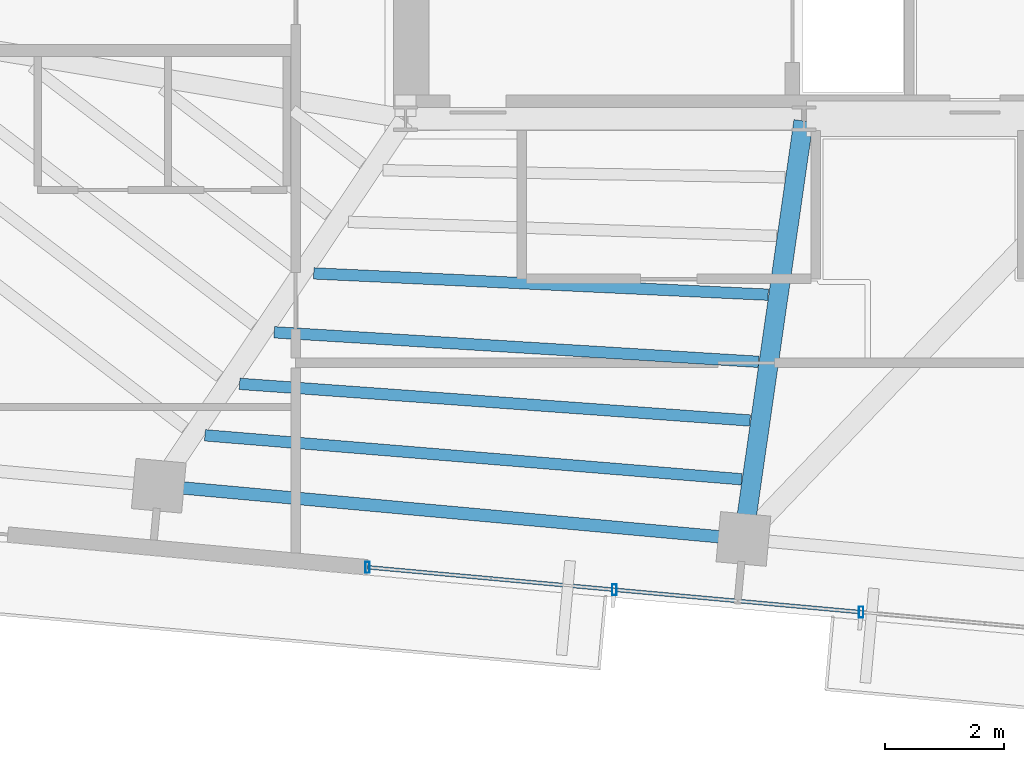
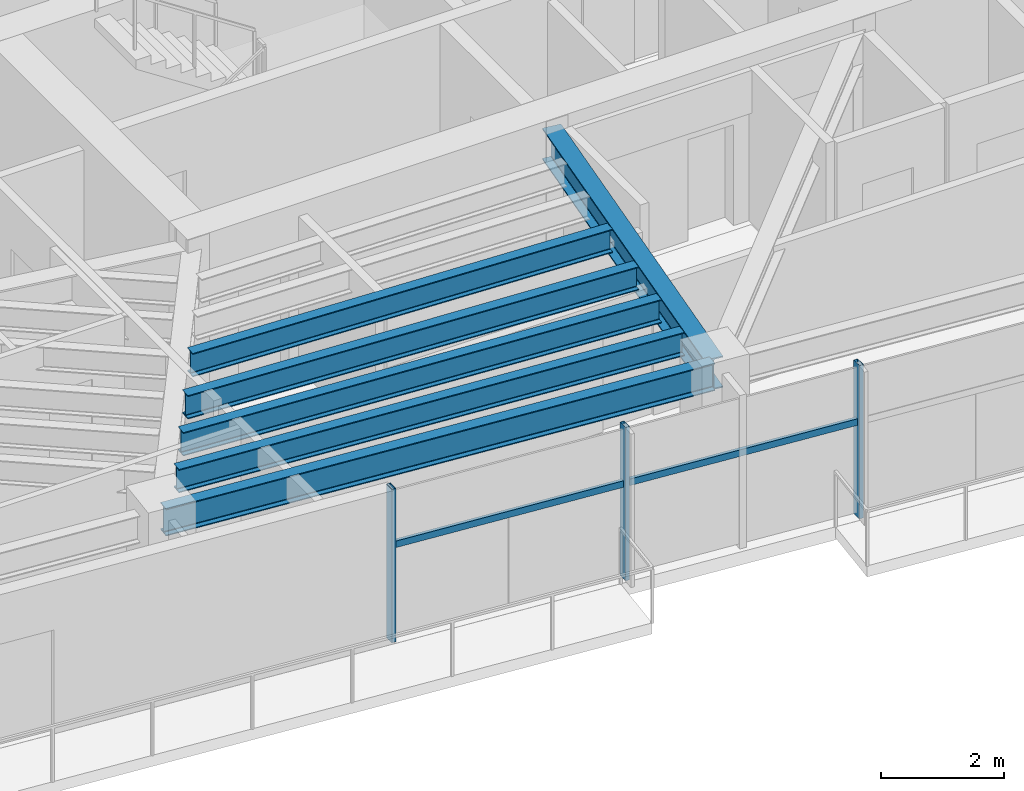
# One storey, part 6 of 22: 6 beams, 5 members, 1 element without a shape of its own.
"""IFC4 building model written with IfcOpenShell, lengths in metres."""

from ifc_helpers import new_model, si_unit, direction, frame, origin, origin_2d, place, context, subcontext, project, spatial, hollow_rectangle, i_section, extrude, source, transform, mapped, material, material_profile, profile_set, type_object, type_shapes, element, aggregate, save


model = new_model("IFC4")

# Units and contexts
model_context = context("Model", 3, precision=1e-05, world=origin(), true_north=direction((0.0, 1.0)))
body_context = subcontext(model_context, "Body", "Model", "MODEL_VIEW")
ifc_project = project(units=[si_unit("LENGTHUNIT", "METRE"), si_unit("AREAUNIT", "SQUARE_METRE"), si_unit("VOLUMEUNIT", "CUBIC_METRE"), si_unit("PLANEANGLEUNIT", "RADIAN"), si_unit("MASSUNIT", "GRAM", prefix="KILO")], contexts=[model_context])

# Site, building, storey
site_placement = place(None, origin())
site = spatial("IfcSite", under=ifc_project, at=site_placement, CompositionType="ELEMENT")
building_placement = place(site_placement, origin())
building = spatial("IfcBuilding", under=site, at=building_placement, Name="Astriad Promenade Condominiums", CompositionType="ELEMENT")
storey_placement = place(building_placement, frame((0.0, 0.0, 246.300048828125)))
storey = spatial("IfcBuildingStorey", under=building, at=storey_placement, Name="L71", CompositionType="ELEMENT", Elevation=246.300048828125)

# Beams
ifc_material_1 = material(Name="Steel ASTM A992 Grade 50", Category="steel")
ifc_material_profile_1 = material_profile(ifc_material_1, i_section(OverallWidth=0.210693359375, OverallDepth=0.53955078125, WebThickness=0.01171875, FlangeThickness=0.018798828125, FilletRadius=0.0166015625, at=origin_2d()), Name="W21X73")
ifc_profile_set_1 = profile_set([ifc_material_profile_1], Name="Steel ASTM A992 Grade 50")
beam_type_1 = type_object("IfcBeamType", Name="STEEL SPANDREL BEAM W21X73", PredefinedType="SPANDREL", material=ifc_profile_set_1)
shared_shape_1 = source(origin(), body_context, "Body", "SweptSolid", [
    extrude(i_section(OverallWidth=0.210693359375, OverallDepth=0.53955078125, WebThickness=0.01171875, FlangeThickness=0.018798828125, FilletRadius=0.0166015625, at=origin_2d()), origin(), (0.0, 0.0, 1.0), 9.81982421875),
])
type_shapes(beam_type_1, [shared_shape_1])
beam_1_placement = place(storey_placement, frame((22.281005859375, 11.205322265625, 2.770263671875), z_axis=(0.995885459014, -0.090620927631, 0.0), x_axis=(0.090620927631, 0.995885459014, 0.0)))
element("IfcBeam", 1, at=beam_1_placement, inside=storey, type_object=beam_type_1, Name="Perimeter Spandrel Beam SP-S2-L71", PredefinedType="SPANDREL", context=body_context, shape_type="MappedRepresentation", body=[
    mapped(shared_shape_1, transform((0.0, 0.0, 0.0), scale=1.0)),
])
ifc_material_profile_2 = material_profile(ifc_material_1, i_section(OverallWidth=0.326416015625, OverallDepth=0.621826171875, WebThickness=0.015380859375, FlangeThickness=0.0244140625, FilletRadius=0.017822265625, at=origin_2d()), Name="W24X131")
ifc_profile_set_2 = profile_set([ifc_material_profile_2], Name="Steel ASTM A992 Grade 50")
beam_type_2 = type_object("IfcBeamType", Name="STEEL FLOOR GIRDER W24X131", PredefinedType="BEAM", material=ifc_profile_set_2)
shared_shape_2 = source(origin(), body_context, "Body", "SweptSolid", [
    extrude(i_section(OverallWidth=0.326416015625, OverallDepth=0.621826171875, WebThickness=0.015380859375, FlangeThickness=0.0244140625, FilletRadius=0.017822265625, at=origin_2d()), origin(), (0.0, 0.0, 1.0), 7.081298828125),
])
type_shapes(beam_type_2, [shared_shape_2])
beam_2_placement = place(storey_placement, frame((32.10595703125, 10.351318359375, 2.72900390625), z_axis=(0.142391481124, 0.989810419274, 0.0), x_axis=(-0.989810419274, 0.142391481124, 0.0)))
element("IfcBeam", 2, at=beam_2_placement, inside=storey, type_object=beam_type_2, Name="Primary Floor Girder PG-C1-L71", PredefinedType="BEAM", context=body_context, shape_type="MappedRepresentation", body=[
    mapped(shared_shape_2, transform((0.0, 0.0, 0.0), scale=1.0)),
])
ifc_material_profile_3 = material_profile(ifc_material_1, i_section(OverallWidth=0.19287109375, OverallDepth=0.466064453125, WebThickness=0.011474609375, FlangeThickness=0.01904296875, FilletRadius=0.01513671875, at=origin_2d()), Name="W18X65")
ifc_profile_set_3 = profile_set([ifc_material_profile_3], Name="Steel ASTM A992 Grade 50")
beam_type_3 = type_object("IfcBeamType", Name="STEEL FLOOR JOIST W18X65", PredefinedType="JOIST", material=ifc_profile_set_3)
shared_shape_3 = source(origin(), body_context, "Body", "SweptSolid", [
    extrude(i_section(OverallWidth=0.19287109375, OverallDepth=0.466064453125, WebThickness=0.011474609375, FlangeThickness=0.01904296875, FilletRadius=0.01513671875, at=origin_2d()), origin(), (0.0, 0.0, 1.0), 9.08056640625),
])
beam_3_placement = place(storey_placement, frame((23.019775390625, 12.059814453125, 2.806884765625), z_axis=(0.996660857814, -0.081652522934, 0.0), x_axis=(0.081652522934, 0.996660857814, 0.0)))
element("IfcBeam", 3, at=beam_3_placement, inside=storey, type_object=beam_type_3, Name="Secondary Composite Floor Joist JCW-1-L71", PredefinedType="JOIST", context=body_context, shape_type="MappedRepresentation", body=[
    mapped(shared_shape_3, transform((0.0, 0.0, 0.0), scale=1.0)),
])
shared_shape_4 = source(origin(), body_context, "Body", "SweptSolid", [
    extrude(i_section(OverallWidth=0.19287109375, OverallDepth=0.466064453125, WebThickness=0.011474609375, FlangeThickness=0.01904296875, FilletRadius=0.01513671875, at=origin_2d()), origin(), (0.0, 0.0, 1.0), 8.631591796875),
])
beam_4_placement = place(storey_placement, frame((23.603271484375, 12.92822265625, 2.806884765625), z_axis=(0.997424124914, -0.071729457259, 0.0), x_axis=(0.071729457259, 0.997424124914, 0.0)))
element("IfcBeam", 4, at=beam_4_placement, inside=storey, type_object=beam_type_3, Name="Secondary Composite Floor Joist JCW-2-L71", PredefinedType="JOIST", context=body_context, shape_type="MappedRepresentation", body=[
    mapped(shared_shape_4, transform((0.0, 0.0, 0.0), scale=1.0)),
])
shared_shape_5 = source(origin(), body_context, "Body", "SweptSolid", [
    extrude(i_section(OverallWidth=0.19287109375, OverallDepth=0.466064453125, WebThickness=0.011474609375, FlangeThickness=0.01904296875, FilletRadius=0.01513671875, at=origin_2d()), origin(), (0.0, 0.0, 1.0), 8.183349609375),
])
beam_5_placement = place(storey_placement, frame((24.186767578125, 13.797119140625, 2.806884765625), z_axis=(0.998148077796, -0.06083103478, 0.0), x_axis=(0.06083103478, 0.998148077796, 0.0)))
element("IfcBeam", 5, at=beam_5_placement, inside=storey, type_object=beam_type_3, Name="Secondary Composite Floor Joist JCW-3-L71", PredefinedType="JOIST", context=body_context, shape_type="MappedRepresentation", body=[
    mapped(shared_shape_5, transform((0.0, 0.0, 0.0), scale=1.0)),
])
shared_shape_6 = source(origin(), body_context, "Body", "SweptSolid", [
    extrude(i_section(OverallWidth=0.19287109375, OverallDepth=0.466064453125, WebThickness=0.011474609375, FlangeThickness=0.01904296875, FilletRadius=0.01513671875, at=origin_2d()), origin(), (0.0, 0.0, 1.0), 7.672119140625),
])
type_shapes(beam_type_3, [shared_shape_3, shared_shape_4, shared_shape_5, shared_shape_6])
beam_6_placement = place(storey_placement, frame((24.85400390625, 14.790283203125, 2.806884765625), z_axis=(0.998903848677, -0.04680919886, 0.0), x_axis=(0.04680919886, 0.998903848677, 0.0)))
element("IfcBeam", 6, at=beam_6_placement, inside=storey, type_object=beam_type_3, Name="Secondary Composite Floor Joist JCW-4-L71", PredefinedType="JOIST", context=body_context, shape_type="MappedRepresentation", body=[
    mapped(shared_shape_6, transform((0.0, 0.0, 0.0), scale=1.0)),
])

# Curtain wall, members
ifc_material_2 = material(Name="Anodised aluminium Black Dark Glass Unitised", Category="aluminium")
curtain_wall_type = type_object("IfcCurtainWallType", Name="CW-B5-DARK", PredefinedType="USERDEFINED", material=ifc_material_2)
curtain_wall_placement = place(storey_placement, origin())
curtain_wall = element("IfcCurtainWall", 7, at=curtain_wall_placement, inside=storey, type_object=curtain_wall_type, Name="CW-L71-S", ObjectType="UNITISED_CURTAIN_WALL", PredefinedType="USERDEFINED")
ifc_material_3 = material(Name="Anodised aluminium 6063-T6 Black", Category="aluminium")
ifc_material_profile_4 = material_profile(ifc_material_3, hollow_rectangle(XDim=0.06494140625, YDim=0.1298828125, WallThickness=0.00390625, at=origin_2d()), Name="ALU-TRN-65X130")
ifc_profile_set_4 = profile_set([ifc_material_profile_4], Name="Anodised aluminium 6063-T6 Black")
member_type_1 = type_object("IfcMemberType", Name="TRN-ALU-TRN-65X130", PredefinedType="USERDEFINED", material=ifc_profile_set_4)
shared_shape_7 = source(origin(), body_context, "Body", "SweptSolid", [
    extrude(hollow_rectangle(XDim=0.06494140625, YDim=0.1298828125, WallThickness=0.00390625, at=origin_2d()), origin(), (0.0, 0.0, 1.0), 4.179931640625),
])
type_shapes(member_type_1, [shared_shape_7])
member_1_placement = place(storey_placement, frame((34.086669921875, 9.07666015625, 1.884765625), z_axis=(-0.995883146811, 0.090646334165, 0.0), x_axis=(-0.090646334165, -0.995883146811, 0.0)))
member_1 = element("IfcMember", 8, at=member_1_placement, type_object=member_type_1, Name="CW-L71-S-TRN-01-0", ObjectType="TRANSOM", PredefinedType="USERDEFINED", context=body_context, shape_type="MappedRepresentation", body=[
    mapped(shared_shape_7, transform((0.0, 0.0, 0.0), scale=1.0)),
])
member_2_placement = place(storey_placement, frame((29.923828125, 9.45556640625, 1.884765625), z_axis=(-0.995883146811, 0.090646334165, 0.0), x_axis=(-0.090646334165, -0.995883146811, 0.0)))
member_2 = element("IfcMember", 9, at=member_2_placement, type_object=member_type_1, Name="CW-L71-S-TRN-02-0", ObjectType="TRANSOM", PredefinedType="USERDEFINED", context=body_context, shape_type="MappedRepresentation", body=[
    mapped(shared_shape_7, transform((0.0, 0.0, 0.0), scale=1.0)),
])
ifc_material_profile_5 = material_profile(ifc_material_3, hollow_rectangle(XDim=0.074951171875, YDim=0.18505859375, WallThickness=0.00439453125, at=origin_2d()), Name="ALU-MUL-75X185")
ifc_profile_set_5 = profile_set([ifc_material_profile_5], Name="Anodised aluminium 6063-T6 Black")
member_type_2 = type_object("IfcMemberType", Name="MUL-ALU-MUL-75X185", PredefinedType="MULLION", material=ifc_profile_set_5)
shared_shape_8 = source(origin(), body_context, "Body", "SweptSolid", [
    extrude(hollow_rectangle(XDim=0.074951171875, YDim=0.18505859375, WallThickness=0.00439453125, at=origin_2d()), origin(), (0.0, 0.0, 1.0), 3.0400390625),
])
type_shapes(member_type_2, [shared_shape_8])
member_3_placement = place(storey_placement, frame((34.086669921875, 9.07666015625, 0.0), z_axis=(0.0, 0.0, 1.0), x_axis=(1.0, 0.0, 0.0)))
member_3 = element("IfcMember", 10, at=member_3_placement, type_object=member_type_2, Name="CW-L71-S-MUL-01", PredefinedType="MULLION", context=body_context, shape_type="MappedRepresentation", body=[
    mapped(shared_shape_8, transform((0.0, 0.0, 0.0), scale=1.0)),
])
member_4_placement = place(storey_placement, frame((29.923828125, 9.45556640625, 0.0), z_axis=(0.0, 0.0, 1.0), x_axis=(1.0, 0.0, 0.0)))
member_4 = element("IfcMember", 11, at=member_4_placement, type_object=member_type_2, Name="CW-L71-S-MUL-02", PredefinedType="MULLION", context=body_context, shape_type="MappedRepresentation", body=[
    mapped(shared_shape_8, transform((0.0, 0.0, 0.0), scale=1.0)),
])
member_5_placement = place(storey_placement, frame((25.760986328125, 9.83447265625, 0.0), z_axis=(0.0, 0.0, 1.0), x_axis=(1.0, 0.0, 0.0)))
member_5 = element("IfcMember", 12, at=member_5_placement, type_object=member_type_2, Name="CW-L71-S-MUL-03", PredefinedType="MULLION", context=body_context, shape_type="MappedRepresentation", body=[
    mapped(shared_shape_8, transform((0.0, 0.0, 0.0), scale=1.0)),
])
aggregate(curtain_wall, [member_3, member_4, member_5, member_1, member_2])

save(model, "model.ifc")
